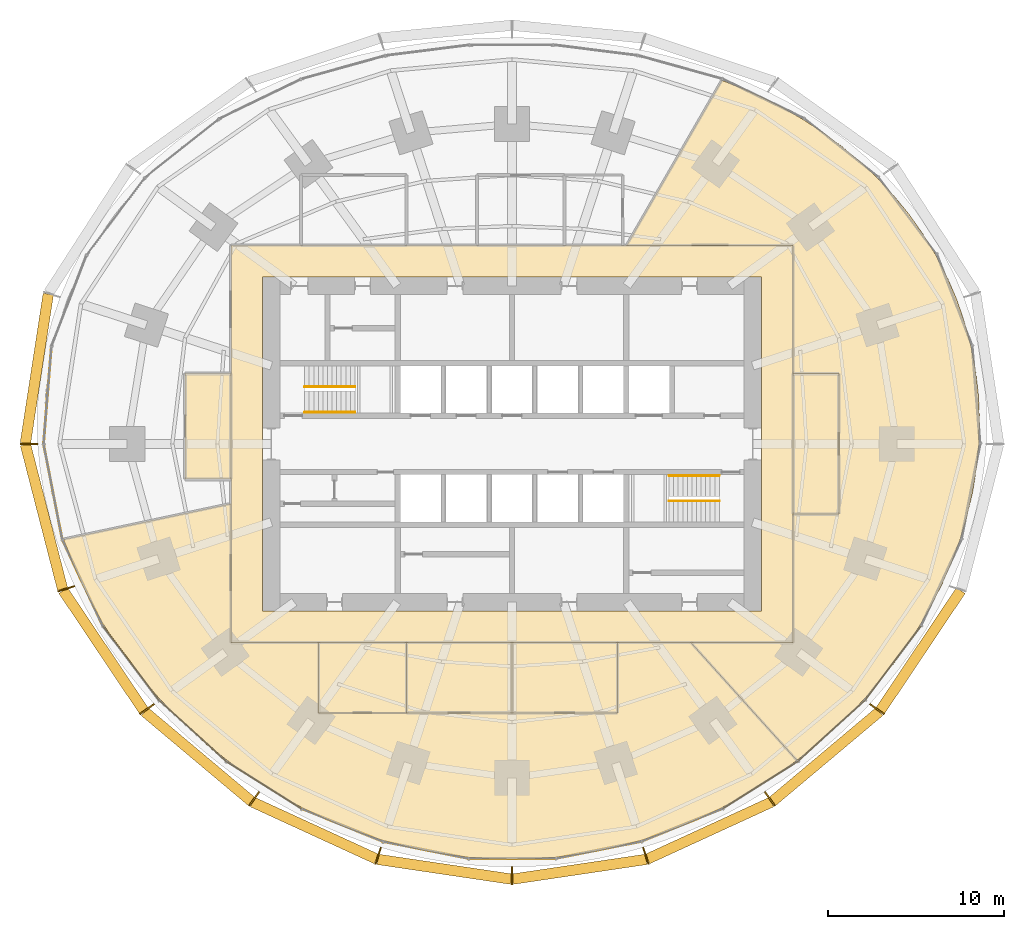
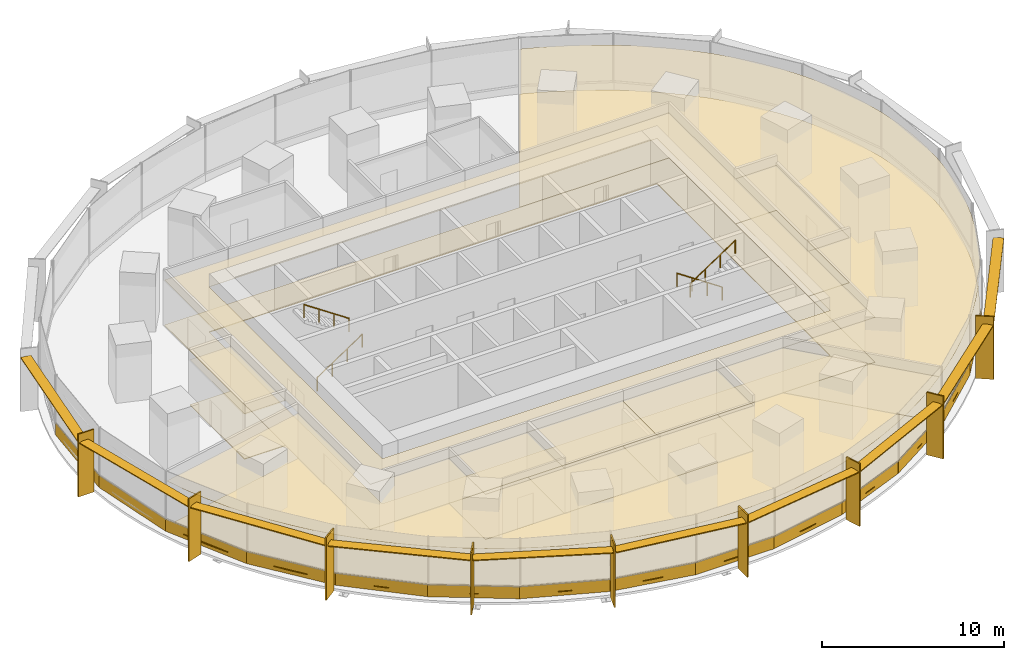
# One storey, part 14 of 15: 30 coverings, 19 shading devices, 4 railings.
"""IFC4 building model written with IfcOpenShell, lengths in metres."""

from ifc_helpers import new_model, si_unit, direction, frame, origin, origin_2d, place, context, subcontext, project, spatial, polyline, rectangle, circle, outline, extrude, material, layer, layer_set, type_object, element, save


model = new_model("IFC4")

# Units and contexts
model_context = context("Model", 3, precision=1e-05, world=origin(), true_north=direction((0.0, 1.0)))
body_context = subcontext(model_context, "Body", "Model", "MODEL_VIEW")
ifc_project = project(units=[si_unit("LENGTHUNIT", "METRE"), si_unit("AREAUNIT", "SQUARE_METRE"), si_unit("VOLUMEUNIT", "CUBIC_METRE"), si_unit("PLANEANGLEUNIT", "RADIAN"), si_unit("MASSUNIT", "GRAM", prefix="KILO")], contexts=[model_context])

# Site, building, storey
site_placement = place(None, origin())
site = spatial("IfcSite", under=ifc_project, at=site_placement, CompositionType="ELEMENT")
building_placement = place(site_placement, origin())
building = spatial("IfcBuilding", under=site, at=building_placement, Name="Marramba Exchange Tower", CompositionType="ELEMENT")
storey_placement = place(building_placement, frame((0.0, 0.0, 53.199951171875)))
storey = spatial("IfcBuildingStorey", under=building, at=storey_placement, Name="L12", CompositionType="ELEMENT", Elevation=53.199951171875)

# Shading devices
ifc_material_1 = material(Name="Aluminium blade, timber-look bronze finish", Category="wood")
ifc_layer_1 = layer(ifc_material_1, 0.080078125)
ifc_layer_set_1 = layer_set([ifc_layer_1], Name="Floor-edge blade 1000x80")
shading_device_type_1 = type_object("IfcShadingDeviceType", Name="Floor-edge blade 1000x80", PredefinedType="USERDEFINED", material=ifc_layer_set_1)
for number, where, z_axis, x_axis, name in (
    (1, (-27.5, 0.0, -0.16015625), (0.0, 0.0, 1.0), (-1.0, 0.0, 0.0), "Floor-edge blade FB1 L12 TC11"),
    (2, (-25.3740234375, -8.24462890625, -0.16015625), (0.0, 0.0, 1.0), (-0.951056516295, -0.309016994375, 0.0), "Floor-edge blade FB1 L12 TC12"),
    (3, (-20.773193359375, -15.092529296875, -0.16015625), (0.0, 0.0, 1.0), (-0.809016994375, -0.587785252292, 0.0), "Floor-edge blade FB1 L12 TC13"),
    (4, (-14.6787109375, -20.20361328125, -0.16015625), (0.0, 0.0, 1.0), (-0.587785252292, -0.809016994375, 0.0), "Floor-edge blade FB1 L12 TC14"),
    (5, (-7.61767578125, -23.444580078125, -0.16015625), (0.0, 0.0, 1.0), (-0.309016994375, -0.951056516295, 0.0), "Floor-edge blade FB1 L12 TC15"),
    (6, (0.0, -24.572021484375, -0.16015625), (0.0, 0.0, 1.0), (0.0, -1.0, 0.0), "Floor-edge blade FB1 L12 TC16"),
    (7, (7.61767578125, -23.444580078125, -0.16015625), (0.0, 0.0, 1.0), (0.309016994375, -0.951056516295, 0.0), "Floor-edge blade FB1 L12 TC17"),
    (8, (14.6787109375, -20.20361328125, -0.16015625), (0.0, 0.0, 1.0), (0.587785252292, -0.809016994375, 0.0), "Floor-edge blade FB1 L12 TC18"),
    (9, (20.773193359375, -15.092529296875, -0.16015625), (0.0, 0.0, 1.0), (0.809016994375, -0.587785252292, 0.0), "Floor-edge blade FB1 L12 TC19"),
):
    element("IfcShadingDevice", number, at=place(storey_placement, frame(where, z_axis=z_axis, x_axis=x_axis)), inside=storey, type_object=shading_device_type_1, Name=name, ObjectType="FIN", PredefinedType="USERDEFINED", context=body_context, shape_type="SweptSolid", body=[
        extrude(rectangle(XDim=1.0, YDim=0.080078125, at=origin_2d()), origin(), (0.0, 0.0, 1.0), 4.199951171875),
    ])

# Coverings
ifc_material_2 = material(Name="Steel raised access floor panels", Category="steel")
ifc_layer_2 = layer(ifc_material_2, 0.050048828125)
ifc_layer_set_2 = layer_set([ifc_layer_2], Name="Raised access floor 300")
covering_type_1 = type_object("IfcCoveringType", Name="Raised access floor 300", PredefinedType="FLOORING", material=ifc_layer_set_2)
covering_1_placement = place(storey_placement, frame((0.0, 0.0, 0.25)))
element("IfcCovering", 10, at=covering_1_placement, inside=storey, type_object=covering_type_1, Name="Raised access floor RAF1 L12 Trading Floor 1", PredefinedType="FLOORING", context=body_context, shape_type="SweptSolid", body=[
    extrude(outline(polyline([(16.0, -4.0), (18.60009765625, -4.0), (18.60009765625, 4.0), (16.0, 4.0), (16.0, 11.300048828125), (6.524169921875, 11.300048828125), (11.94921875, 20.69677734375), (13.135986328125, 20.2275390625), (14.31103515625, 19.697509765625), (15.4697265625, 19.103759765625), (16.60693359375, 18.44384765625), (17.71630859375, 17.71630859375), (18.791259765625, 16.919677734375), (19.8251953125, 16.05419921875), (20.810791015625, 15.119873046875), (21.740478515625, 14.118408203125), (22.607177734375, 13.05224609375), (23.40380859375, 11.9248046875), (24.12353515625, 10.740478515625), (24.76025390625, 9.50439453125), (25.30859375, 8.22314453125), (25.763916015625, 6.9033203125), (26.123291015625, 5.552734375), (26.3837890625, 4.1787109375), (26.544921875, 2.7900390625), (26.6064453125, 1.394287109375), (26.570068359375, 0.0), (26.43798828125, -1.385498046875), (26.213623046875, -2.755126953125), (25.9013671875, -4.102294921875), (25.50634765625, -5.421630859375), (25.033935546875, -6.707763671875), (24.489501953125, -7.95703125), (23.879150390625, -9.166259765625), (23.208251953125, -10.3330078125), (22.482177734375, -11.455322265625), (21.7060546875, -12.531982421875), (20.88427734375, -13.5625), (20.020751953125, -14.5458984375), (19.119384765625, -15.482421875), (18.1826171875, -16.371826171875), (17.213623046875, -17.213623046875), (16.21435546875, -18.0078125), (10.174560546875, -11.300048828125), (16.0, -11.300048828125), (16.0, -4.0)])), origin(), (0.0, 0.0, 1.0), 0.050048828125),
])
covering_2_placement = place(storey_placement, frame((0.0, 0.0, 0.25)))
element("IfcCovering", 11, at=covering_2_placement, inside=storey, type_object=covering_type_1, Name="Raised access floor RAF1 L12 Trading Floor 3", PredefinedType="FLOORING", context=body_context, shape_type="SweptSolid", body=[
    extrude(outline(polyline([(-11.0, -11.300048828125), (-11.0, -15.300048828125), (-6.0, -15.300048828125), (0.0, -15.300048828125), (6.0, -15.300048828125), (6.0, -11.300048828125), (10.174560546875, -11.300048828125), (16.21435546875, -18.0078125), (15.1865234375, -18.75390625), (14.132080078125, -19.451171875), (13.052490234375, -20.09912109375), (11.94921875, -20.69677734375), (10.82373046875, -21.242919921875), (9.677734375, -21.736328125), (8.512451171875, -22.17578125), (7.330078125, -22.56005859375), (6.1328125, -22.8876953125), (4.92236328125, -23.15771484375), (3.701416015625, -23.368896484375), (2.47216796875, -23.5205078125), (1.2373046875, -23.611572265625), (0.0, -23.64208984375), (-1.2373046875, -23.611572265625), (-2.47216796875, -23.5205078125), (-3.701416015625, -23.368896484375), (-4.92236328125, -23.15771484375), (-6.1328125, -22.8876953125), (-7.330078125, -22.56005859375), (-8.512451171875, -22.17578125), (-9.677734375, -21.736328125), (-10.82373046875, -21.242919921875), (-11.94921875, -20.69677734375), (-13.052490234375, -20.09912109375), (-14.132080078125, -19.451171875), (-15.1865234375, -18.75390625), (-16.21435546875, -18.0078125), (-17.213623046875, -17.213623046875), (-18.1826171875, -16.371826171875), (-19.119384765625, -15.482421875), (-20.020751953125, -14.5458984375), (-20.88427734375, -13.5625), (-21.7060546875, -12.531982421875), (-22.482177734375, -11.455322265625), (-23.208251953125, -10.3330078125), (-23.879150390625, -9.166259765625), (-24.489501953125, -7.95703125), (-25.033935546875, -6.707763671875), (-25.50634765625, -5.421630859375), (-16.906494140625, -3.593505859375), (-16.0, -3.40087890625), (-16.0, -11.300048828125), (-11.0, -11.300048828125)])), origin(), (0.0, 0.0, 1.0), 0.050048828125),
])
covering_3_placement = place(storey_placement, frame((0.0, 0.0, 0.25)))
element("IfcCovering", 12, at=covering_3_placement, inside=storey, type_object=covering_type_1, Name="Raised access floor RAF1 L12 Corridor", PredefinedType="FLOORING", context=body_context, shape_type="SweptSolid", body=[
    extrude(outline(polyline([(-16.0, 11.300048828125), (16.0, 11.300048828125), (16.0, -11.300048828125), (-16.0, -11.300048828125), (-16.0, 11.300048828125)]), holes=[polyline([(-14.199951171875, 9.5), (-14.199951171875, -9.5), (14.199951171875, -9.5), (14.199951171875, 9.5), (-14.199951171875, 9.5)])]), origin(), (0.0, 0.0, 1.0), 0.050048828125),
])
covering_4_placement = place(storey_placement, frame((0.0, 0.0, 0.25)))
element("IfcCovering", 13, at=covering_4_placement, inside=storey, type_object=covering_type_1, Name="Raised access floor RAF1 L12 Data Room 1", PredefinedType="FLOORING", context=body_context, shape_type="SweptSolid", body=[
    extrude(outline(polyline([(18.60009765625, -4.0), (16.0, -4.0), (16.0, 4.0), (18.60009765625, 4.0), (18.60009765625, -4.0)])), origin(), (0.0, 0.0, 1.0), 0.050048828125),
])
covering_5_placement = place(storey_placement, frame((0.0, 0.0, 0.25)))
element("IfcCovering", 14, at=covering_5_placement, inside=storey, type_object=covering_type_1, Name="Raised access floor RAF1 L12 Data Room 2", PredefinedType="FLOORING", context=body_context, shape_type="SweptSolid", body=[
    extrude(outline(polyline([(-16.0, -2.0), (-18.60009765625, -2.0), (-18.60009765625, 4.0), (-16.0, 4.0), (-16.0, -2.0)])), origin(), (0.0, 0.0, 1.0), 0.050048828125),
])
covering_6_placement = place(storey_placement, frame((0.0, 0.0, 0.25)))
element("IfcCovering", 15, at=covering_6_placement, inside=storey, type_object=covering_type_1, Name="Raised access floor RAF1 L12 Data Room 3", PredefinedType="FLOORING", context=body_context, shape_type="SweptSolid", body=[
    extrude(outline(polyline([(0.0, -15.300048828125), (-6.0, -15.300048828125), (-6.0, -11.300048828125), (0.0, -11.300048828125), (0.0, -15.300048828125)])), origin(), (0.0, 0.0, 1.0), 0.050048828125),
])
covering_7_placement = place(storey_placement, frame((0.0, 0.0, 0.25)))
element("IfcCovering", 16, at=covering_7_placement, inside=storey, type_object=covering_type_1, Name="Raised access floor RAF1 L12 Meeting Room 3", PredefinedType="FLOORING", context=body_context, shape_type="SweptSolid", body=[
    extrude(outline(polyline([(6.0, -15.300048828125), (0.0, -15.300048828125), (0.0, -11.300048828125), (6.0, -11.300048828125), (6.0, -15.300048828125)])), origin(), (0.0, 0.0, 1.0), 0.050048828125),
])
covering_8_placement = place(storey_placement, frame((0.0, 0.0, 0.25)))
element("IfcCovering", 17, at=covering_8_placement, inside=storey, type_object=covering_type_1, Name="Raised access floor RAF1 L12 Pantry 2", PredefinedType="FLOORING", context=body_context, shape_type="SweptSolid", body=[
    extrude(outline(polyline([(-6.0, -15.300048828125), (-11.0, -15.300048828125), (-11.0, -11.300048828125), (-6.0, -11.300048828125), (-6.0, -15.300048828125)])), origin(), (0.0, 0.0, 1.0), 0.050048828125),
])

# Shading devices
ifc_material_3 = material(Name="Aluminium sunshade, bronze anodised", Category="aluminium")
ifc_layer_3 = layer(ifc_material_3, 0.06005859375)
ifc_layer_set_3 = layer_set([ifc_layer_3], Name="SUNSHADE blade 600x60")
shading_device_type_2 = type_object("IfcShadingDeviceType", Name="SUNSHADE blade 600x60", PredefinedType="USERDEFINED", material=ifc_layer_set_3)
shading_device_1_placement = place(storey_placement, frame((-27.04150390625, 4.2861328125, 3.4599609375), z_axis=(0.0, 0.0, 1.0), x_axis=(-0.151825486228, -0.988407315701, 0.0)))
element("IfcShadingDevice", 18, at=shading_device_1_placement, inside=storey, type_object=shading_device_type_2, Name="Sunshade SS1 L12 bay 10", ObjectType="SUNSHADE", PredefinedType="USERDEFINED", context=body_context, shape_type="SweptSolid", body=[
    extrude(rectangle(XDim=8.593017578125, YDim=0.60009765625, at=origin_2d()), origin(), (0.0, 0.0, 1.0), 0.06005859375),
])
shading_device_2_placement = place(storey_placement, frame((-26.632080078125, -4.153076171875, 3.4599609375), z_axis=(0.0, 0.0, 1.0), x_axis=(0.249024641331, -0.968497149201, 0.0)))
element("IfcShadingDevice", 19, at=shading_device_2_placement, inside=storey, type_object=shading_device_type_2, Name="Sunshade SS1 L12 bay 11", ObjectType="SUNSHADE", PredefinedType="USERDEFINED", context=body_context, shape_type="SweptSolid", body=[
    extrude(rectangle(XDim=8.49658203125, YDim=0.60009765625, at=origin_2d()), origin(), (0.0, 0.0, 1.0), 0.06005859375),
])
shading_device_3_placement = place(storey_placement, frame((-23.24951171875, -11.75830078125, 3.4599609375), z_axis=(0.0, 0.0, 1.0), x_axis=(0.556924164761, -0.830563347798, 0.0)))
element("IfcShadingDevice", 20, at=shading_device_3_placement, inside=storey, type_object=shading_device_type_2, Name="Sunshade SS1 L12 bay 12", ObjectType="SUNSHADE", PredefinedType="USERDEFINED", context=body_context, shape_type="SweptSolid", body=[
    extrude(rectangle(XDim=8.232177734375, YDim=0.60009765625, at=origin_2d()), origin(), (0.0, 0.0, 1.0), 0.06005859375),
])
shading_device_4_placement = place(storey_placement, frame((-17.86572265625, -17.787841796875, 3.4599609375), z_axis=(0.0, 0.0, 1.0), x_axis=(0.765776068523, -0.643107310546, 0.0)))
element("IfcShadingDevice", 21, at=shading_device_4_placement, inside=storey, type_object=shading_device_type_2, Name="Sunshade SS1 L12 bay 13", ObjectType="SUNSHADE", PredefinedType="USERDEFINED", context=body_context, shape_type="SweptSolid", body=[
    extrude(rectangle(XDim=7.936279296875, YDim=0.60009765625, at=origin_2d()), origin(), (0.0, 0.0, 1.0), 0.06005859375),
])
shading_device_5_placement = place(storey_placement, frame((-11.23779296875, -22.0, 3.4599609375), z_axis=(0.0, 0.0, 1.0), x_axis=(0.908703542008, -0.417442059144, 0.0)))
element("IfcShadingDevice", 22, at=shading_device_5_placement, inside=storey, type_object=shading_device_type_2, Name="Sunshade SS1 L12 bay 14", ObjectType="SUNSHADE", PredefinedType="USERDEFINED", context=body_context, shape_type="SweptSolid", body=[
    extrude(rectangle(XDim=7.751953125, YDim=0.60009765625, at=origin_2d()), origin(), (0.0, 0.0, 1.0), 0.06005859375),
])
for number, where, z_axis, x_axis, name in (
    (23, (-3.839599609375, -24.203369140625, 3.4599609375), (0.0, 0.0, 1.0), (0.989212895923, -0.146484970356, 0.0), "Sunshade SS1 L12 bay 15"),
    (24, (3.839599609375, -24.203369140625, 3.4599609375), (0.0, 0.0, 1.0), (0.989212895923, 0.146484970356, 0.0), "Sunshade SS1 L12 bay 16"),
):
    element("IfcShadingDevice", number, at=place(storey_placement, frame(where, z_axis=z_axis, x_axis=x_axis)), inside=storey, type_object=shading_device_type_2, Name=name, ObjectType="SUNSHADE", PredefinedType="USERDEFINED", context=body_context, shape_type="SweptSolid", body=[
        extrude(rectangle(XDim=7.68310546875, YDim=0.60009765625, at=origin_2d()), origin(), (0.0, 0.0, 1.0), 0.06005859375),
    ])
shading_device_6_placement = place(storey_placement, frame((11.23779296875, -22.0, 3.4599609375), z_axis=(0.0, 0.0, 1.0), x_axis=(0.908703542008, 0.417442059144, 0.0)))
element("IfcShadingDevice", 25, at=shading_device_6_placement, inside=storey, type_object=shading_device_type_2, Name="Sunshade SS1 L12 bay 17", ObjectType="SUNSHADE", PredefinedType="USERDEFINED", context=body_context, shape_type="SweptSolid", body=[
    extrude(rectangle(XDim=7.751953125, YDim=0.60009765625, at=origin_2d()), origin(), (0.0, 0.0, 1.0), 0.06005859375),
])
shading_device_7_placement = place(storey_placement, frame((17.86572265625, -17.787841796875, 3.4599609375), z_axis=(0.0, 0.0, 1.0), x_axis=(0.765776068523, 0.643107310546, 0.0)))
element("IfcShadingDevice", 26, at=shading_device_7_placement, inside=storey, type_object=shading_device_type_2, Name="Sunshade SS1 L12 bay 18", ObjectType="SUNSHADE", PredefinedType="USERDEFINED", context=body_context, shape_type="SweptSolid", body=[
    extrude(rectangle(XDim=7.936279296875, YDim=0.60009765625, at=origin_2d()), origin(), (0.0, 0.0, 1.0), 0.06005859375),
])
shading_device_8_placement = place(storey_placement, frame((23.24951171875, -11.75830078125, 3.4599609375), z_axis=(0.0, 0.0, 1.0), x_axis=(0.556924164761, 0.830563347798, 0.0)))
element("IfcShadingDevice", 27, at=shading_device_8_placement, inside=storey, type_object=shading_device_type_2, Name="Sunshade SS1 L12 bay 19", ObjectType="SUNSHADE", PredefinedType="USERDEFINED", context=body_context, shape_type="SweptSolid", body=[
    extrude(rectangle(XDim=8.232177734375, YDim=0.60009765625, at=origin_2d()), origin(), (0.0, 0.0, 1.0), 0.06005859375),
])

# Coverings
ifc_material_4 = material(Name="Aluminium spandrel panel, bronze anodised, insulated", Category="aluminium")
ifc_layer_4 = layer(ifc_material_4, 0.050048828125)
ifc_layer_set_4 = layer_set([ifc_layer_4], Name="Spandrel panel 800")
covering_type_2 = type_object("IfcCoveringType", Name="Spandrel panel 800", PredefinedType="CLADDING", material=ifc_layer_set_4)
covering_9_placement = place(storey_placement, frame((-26.42578125, 2.78466796875, 0.0), z_axis=(0.0, 0.0, 1.0), x_axis=(-0.080275227657, -0.996772736297, 0.0)))
element("IfcCovering", 28, at=covering_9_placement, inside=storey, type_object=covering_type_2, Name="Spandrel panel SP1 L12 F15", PredefinedType="CLADDING", context=body_context, shape_type="SweptSolid", body=[
    extrude(rectangle(XDim=5.58740234375, YDim=0.050048828125, at=origin_2d()), origin(), (0.0, 0.0, 1.0), 0.800048828125),
])
covering_10_placement = place(storey_placement, frame((-26.117431640625, -2.718994140625, 0.0), z_axis=(0.0, 0.0, 1.0), x_axis=(0.19224858127, -0.981346260501, 0.0)))
element("IfcCovering", 29, at=covering_10_placement, inside=storey, type_object=covering_type_2, Name="Spandrel panel SP1 L12 F16", PredefinedType="CLADDING", context=body_context, shape_type="SweptSolid", body=[
    extrude(rectangle(XDim=5.54150390625, YDim=0.050048828125, at=origin_2d()), origin(), (0.0, 0.0, 1.0), 0.800048828125),
])
covering_11_placement = place(storey_placement, frame((-24.432861328125, -7.90185546875, 0.0), z_axis=(0.0, 0.0, 1.0), x_axis=(0.423477213559, -0.905906755464, 0.0)))
element("IfcCovering", 30, at=covering_11_placement, inside=storey, type_object=covering_type_2, Name="Spandrel panel SP1 L12 F17", PredefinedType="CLADDING", context=body_context, shape_type="SweptSolid", body=[
    extrude(rectangle(XDim=5.439208984375, YDim=0.050048828125, at=origin_2d()), origin(), (0.0, 0.0, 1.0), 0.800048828125),
])
covering_12_placement = place(storey_placement, frame((-21.683349609375, -12.479248046875, 0.0), z_axis=(0.0, 0.0, 1.0), x_axis=(0.603040469481, -0.797710594243, 0.0)))
element("IfcCovering", 31, at=covering_12_placement, inside=storey, type_object=covering_type_2, Name="Spandrel panel SP1 L12 F18", PredefinedType="CLADDING", context=body_context, shape_type="SweptSolid", body=[
    extrude(rectangle(XDim=5.299560546875, YDim=0.050048828125, at=origin_2d()), origin(), (0.0, 0.0, 1.0), 0.800048828125),
])
covering_13_placement = place(storey_placement, frame((-18.1767578125, -16.330078125, 0.0), z_axis=(0.0, 0.0, 1.0), x_axis=(0.739589582203, -0.673058132628, 0.0)))
element("IfcCovering", 32, at=covering_13_placement, inside=storey, type_object=covering_type_2, Name="Spandrel panel SP1 L12 F19", PredefinedType="CLADDING", context=body_context, shape_type="SweptSolid", body=[
    extrude(rectangle(XDim=5.161865234375, YDim=0.050048828125, at=origin_2d()), origin(), (0.0, 0.0, 1.0), 0.800048828125),
])
covering_14_placement = place(storey_placement, frame((-14.128662109375, -19.416748046875, 0.0), z_axis=(0.0, 0.0, 1.0), x_axis=(0.845790829799, -0.533514641062, 0.0)))
element("IfcCovering", 33, at=covering_14_placement, inside=storey, type_object=covering_type_2, Name="Spandrel panel SP1 L12 F20", PredefinedType="CLADDING", context=body_context, shape_type="SweptSolid", body=[
    extrude(rectangle(XDim=5.05859375, YDim=0.050048828125, at=origin_2d()), origin(), (0.0, 0.0, 1.0), 0.800048828125),
])
covering_15_placement = place(storey_placement, frame((-9.672119140625, -21.701171875, 0.0), z_axis=(0.0, 0.0, 1.0), x_axis=(0.927340675001, -0.374218215069, 0.0)))
element("IfcCovering", 34, at=covering_15_placement, inside=storey, type_object=covering_type_2, Name="Spandrel panel SP1 L12 F21", PredefinedType="CLADDING", context=body_context, shape_type="SweptSolid", body=[
    extrude(rectangle(XDim=4.99755859375, YDim=0.050048828125, at=origin_2d()), origin(), (0.0, 0.0, 1.0), 0.800048828125),
])
covering_16_placement = place(storey_placement, frame((-4.917724609375, -23.1181640625, 0.0), z_axis=(0.0, 0.0, 1.0), x_axis=(0.981009201842, -0.193961196898, 0.0)))
element("IfcCovering", 35, at=covering_16_placement, inside=storey, type_object=covering_type_2, Name="Spandrel panel SP1 L12 F22", PredefinedType="CLADDING", context=body_context, shape_type="SweptSolid", body=[
    extrude(rectangle(XDim=4.96875, YDim=0.050048828125, at=origin_2d()), origin(), (0.0, 0.0, 1.0), 0.800048828125),
])
covering_17_placement = place(storey_placement, frame((0.0, -23.599853515625, 0.0), z_axis=(0.0, 0.0, 1.0), x_axis=(1.0, 0.0, 0.0)))
element("IfcCovering", 36, at=covering_17_placement, inside=storey, type_object=covering_type_2, Name="Spandrel panel SP1 L12 F23", PredefinedType="CLADDING", context=body_context, shape_type="SweptSolid", body=[
    extrude(rectangle(XDim=4.9609375, YDim=0.050048828125, at=origin_2d()), origin(), (0.0, 0.0, 1.0), 0.800048828125),
])
covering_18_placement = place(storey_placement, frame((4.917724609375, -23.1181640625, 0.0), z_axis=(0.0, 0.0, 1.0), x_axis=(0.981009201842, 0.193961196898, 0.0)))
element("IfcCovering", 37, at=covering_18_placement, inside=storey, type_object=covering_type_2, Name="Spandrel panel SP1 L12 F24", PredefinedType="CLADDING", context=body_context, shape_type="SweptSolid", body=[
    extrude(rectangle(XDim=4.96875, YDim=0.050048828125, at=origin_2d()), origin(), (0.0, 0.0, 1.0), 0.800048828125),
])
covering_19_placement = place(storey_placement, frame((9.672119140625, -21.701171875, 0.0), z_axis=(0.0, 0.0, 1.0), x_axis=(0.927340675001, 0.374218215069, 0.0)))
element("IfcCovering", 38, at=covering_19_placement, inside=storey, type_object=covering_type_2, Name="Spandrel panel SP1 L12 F25", PredefinedType="CLADDING", context=body_context, shape_type="SweptSolid", body=[
    extrude(rectangle(XDim=4.99755859375, YDim=0.050048828125, at=origin_2d()), origin(), (0.0, 0.0, 1.0), 0.800048828125),
])
covering_20_placement = place(storey_placement, frame((14.128662109375, -19.416748046875, 0.0), z_axis=(0.0, 0.0, 1.0), x_axis=(0.845790829799, 0.533514641062, 0.0)))
element("IfcCovering", 39, at=covering_20_placement, inside=storey, type_object=covering_type_2, Name="Spandrel panel SP1 L12 F26", PredefinedType="CLADDING", context=body_context, shape_type="SweptSolid", body=[
    extrude(rectangle(XDim=5.05859375, YDim=0.050048828125, at=origin_2d()), origin(), (0.0, 0.0, 1.0), 0.800048828125),
])
covering_21_placement = place(storey_placement, frame((18.1767578125, -16.330078125, 0.0), z_axis=(0.0, 0.0, 1.0), x_axis=(0.739589582203, 0.673058132628, 0.0)))
element("IfcCovering", 40, at=covering_21_placement, inside=storey, type_object=covering_type_2, Name="Spandrel panel SP1 L12 F27", PredefinedType="CLADDING", context=body_context, shape_type="SweptSolid", body=[
    extrude(rectangle(XDim=5.161865234375, YDim=0.050048828125, at=origin_2d()), origin(), (0.0, 0.0, 1.0), 0.800048828125),
])
covering_22_placement = place(storey_placement, frame((21.683349609375, -12.479248046875, 0.0), z_axis=(0.0, 0.0, 1.0), x_axis=(0.603040469481, 0.797710594243, 0.0)))
element("IfcCovering", 41, at=covering_22_placement, inside=storey, type_object=covering_type_2, Name="Spandrel panel SP1 L12 F28", PredefinedType="CLADDING", context=body_context, shape_type="SweptSolid", body=[
    extrude(rectangle(XDim=5.299560546875, YDim=0.050048828125, at=origin_2d()), origin(), (0.0, 0.0, 1.0), 0.800048828125),
])

# Railings
ifc_material_5 = material(Name="Stainless steel handrail", Category="steel")
railing_type = type_object("IfcRailingType", Name="Stair handrail 900", PredefinedType="HANDRAIL", material=ifc_material_5)
railing_1_placement = place(storey_placement, frame((-11.800048828125, 1.800048828125, 0.175048828125)))
element("IfcRailing", 42, at=railing_1_placement, inside=storey, type_object=railing_type, Name="Handrail HR1 ST1 L12 flight 1", PredefinedType="HANDRAIL", context=body_context, shape_type="SweptSolid", body=[
    extrude(circle(Radius=0.02392578125, at=origin_2d()), frame((0.0, 0.0, 0.8759765625), z_axis=(0.829590901723, 0.0, 0.558371682465), x_axis=(0.0, 1.0, 0.0)), (0.0, 0.0, 1.0), 3.447509765625),
    extrude(circle(Radius=0.02099609375, at=origin_2d()), origin(), (0.0, 0.0, 1.0), 0.851806640625),
    extrude(circle(Radius=0.02099609375, at=origin_2d()), frame((0.953369140625, 0.0, 0.6416015625)), (0.0, 0.0, 1.0), 0.851806640625),
    extrude(circle(Radius=0.02099609375, at=origin_2d()), frame((1.90673828125, 0.0, 1.283447265625)), (0.0, 0.0, 1.0), 0.851806640625),
    extrude(circle(Radius=0.02099609375, at=origin_2d()), frame((2.860107421875, 0.0, 1.925048828125)), (0.0, 0.0, 1.0), 0.851806640625),
])
railing_2_placement = place(storey_placement, frame((-8.93994140625, 3.25, 2.275146484375)))
element("IfcRailing", 43, at=railing_2_placement, inside=storey, type_object=railing_type, Name="Handrail HR1 ST1 L12 flight 2", PredefinedType="HANDRAIL", context=body_context, shape_type="SweptSolid", body=[
    extrude(circle(Radius=0.02392578125, at=origin_2d()), frame((0.0, 0.0, 0.8759765625), z_axis=(-0.829623704247, 0.0, 0.558322943601), x_axis=(0.0, -1.0, 0.0)), (0.0, 0.0, 1.0), 3.447509765625),
    extrude(circle(Radius=0.02099609375, at=origin_2d()), origin(), (0.0, 0.0, 1.0), 0.851806640625),
    extrude(circle(Radius=0.02099609375, at=origin_2d()), frame((-0.953369140625, 0.0, 0.6416015625)), (0.0, 0.0, 1.0), 0.851806640625),
    extrude(circle(Radius=0.02099609375, at=origin_2d()), frame((-1.90673828125, 0.0, 1.283203125)), (0.0, 0.0, 1.0), 0.851806640625),
    extrude(circle(Radius=0.02099609375, at=origin_2d()), frame((-2.860107421875, 0.0, 1.9248046875)), (0.0, 0.0, 1.0), 0.851806640625),
])
railing_3_placement = place(storey_placement, frame((11.800048828125, -1.800048828125, 0.175048828125)))
element("IfcRailing", 44, at=railing_3_placement, inside=storey, type_object=railing_type, Name="Handrail HR1 ST2 L12 flight 1", PredefinedType="HANDRAIL", context=body_context, shape_type="SweptSolid", body=[
    extrude(circle(Radius=0.02392578125, at=origin_2d()), frame((0.0, 0.0, 0.8759765625), z_axis=(-0.829590901723, 0.0, 0.558371682465), x_axis=(0.0, -1.0, 0.0)), (0.0, 0.0, 1.0), 3.447509765625),
    extrude(circle(Radius=0.02099609375, at=origin_2d()), origin(), (0.0, 0.0, 1.0), 0.851806640625),
    extrude(circle(Radius=0.02099609375, at=origin_2d()), frame((-0.953369140625, 0.0, 0.6416015625)), (0.0, 0.0, 1.0), 0.851806640625),
    extrude(circle(Radius=0.02099609375, at=origin_2d()), frame((-1.90673828125, 0.0, 1.283447265625)), (0.0, 0.0, 1.0), 0.851806640625),
    extrude(circle(Radius=0.02099609375, at=origin_2d()), frame((-2.860107421875, 0.0, 1.925048828125)), (0.0, 0.0, 1.0), 0.851806640625),
])
railing_4_placement = place(storey_placement, frame((8.93994140625, -3.25, 2.275146484375)))
element("IfcRailing", 45, at=railing_4_placement, inside=storey, type_object=railing_type, Name="Handrail HR1 ST2 L12 flight 2", PredefinedType="HANDRAIL", context=body_context, shape_type="SweptSolid", body=[
    extrude(circle(Radius=0.02392578125, at=origin_2d()), frame((0.0, 0.0, 0.8759765625), z_axis=(0.829623704247, 0.0, 0.558322943601), x_axis=(0.0, 1.0, 0.0)), (0.0, 0.0, 1.0), 3.447509765625),
    extrude(circle(Radius=0.02099609375, at=origin_2d()), origin(), (0.0, 0.0, 1.0), 0.851806640625),
    extrude(circle(Radius=0.02099609375, at=origin_2d()), frame((0.953369140625, 0.0, 0.6416015625)), (0.0, 0.0, 1.0), 0.851806640625),
    extrude(circle(Radius=0.02099609375, at=origin_2d()), frame((1.90673828125, 0.0, 1.283203125)), (0.0, 0.0, 1.0), 0.851806640625),
    extrude(circle(Radius=0.02099609375, at=origin_2d()), frame((2.860107421875, 0.0, 1.9248046875)), (0.0, 0.0, 1.0), 0.851806640625),
])

# Coverings
ifc_material_6 = material(Name="Mineral fibre ceiling tiles", Category="gypsum")
ifc_layer_5 = layer(ifc_material_6, 0.02001953125)
ifc_layer_set_5 = layer_set([ifc_layer_5], Name="Suspended ceiling 20")
covering_type_3 = type_object("IfcCoveringType", Name="Suspended ceiling 20", PredefinedType="CEILING", material=ifc_layer_set_5)
covering_23_placement = place(storey_placement, frame((0.0, 0.0, 3.300048828125)))
element("IfcCovering", 46, at=covering_23_placement, inside=storey, type_object=covering_type_3, Name="Ceiling CL1 L12 Trading Floor 1", PredefinedType="CEILING", context=body_context, shape_type="SweptSolid", body=[
    extrude(outline(polyline([(16.0, -4.0), (18.60009765625, -4.0), (18.60009765625, 4.0), (16.0, 4.0), (16.0, 11.300048828125), (6.524169921875, 11.300048828125), (11.94921875, 20.69677734375), (13.135986328125, 20.2275390625), (14.31103515625, 19.697509765625), (15.4697265625, 19.103759765625), (16.60693359375, 18.44384765625), (17.71630859375, 17.71630859375), (18.791259765625, 16.919677734375), (19.8251953125, 16.05419921875), (20.810791015625, 15.119873046875), (21.740478515625, 14.118408203125), (22.607177734375, 13.05224609375), (23.40380859375, 11.9248046875), (24.12353515625, 10.740478515625), (24.76025390625, 9.50439453125), (25.30859375, 8.22314453125), (25.763916015625, 6.9033203125), (26.123291015625, 5.552734375), (26.3837890625, 4.1787109375), (26.544921875, 2.7900390625), (26.6064453125, 1.394287109375), (26.570068359375, 0.0), (26.43798828125, -1.385498046875), (26.213623046875, -2.755126953125), (25.9013671875, -4.102294921875), (25.50634765625, -5.421630859375), (25.033935546875, -6.707763671875), (24.489501953125, -7.95703125), (23.879150390625, -9.166259765625), (23.208251953125, -10.3330078125), (22.482177734375, -11.455322265625), (21.7060546875, -12.531982421875), (20.88427734375, -13.5625), (20.020751953125, -14.5458984375), (19.119384765625, -15.482421875), (18.1826171875, -16.371826171875), (17.213623046875, -17.213623046875), (16.21435546875, -18.0078125), (10.174560546875, -11.300048828125), (16.0, -11.300048828125), (16.0, -4.0)])), origin(), (0.0, 0.0, 1.0), 0.02001953125),
])
covering_24_placement = place(storey_placement, frame((0.0, 0.0, 3.300048828125)))
element("IfcCovering", 47, at=covering_24_placement, inside=storey, type_object=covering_type_3, Name="Ceiling CL1 L12 Trading Floor 3", PredefinedType="CEILING", context=body_context, shape_type="SweptSolid", body=[
    extrude(outline(polyline([(-11.0, -11.300048828125), (-11.0, -15.300048828125), (-6.0, -15.300048828125), (0.0, -15.300048828125), (6.0, -15.300048828125), (6.0, -11.300048828125), (10.174560546875, -11.300048828125), (16.21435546875, -18.0078125), (15.1865234375, -18.75390625), (14.132080078125, -19.451171875), (13.052490234375, -20.09912109375), (11.94921875, -20.69677734375), (10.82373046875, -21.242919921875), (9.677734375, -21.736328125), (8.512451171875, -22.17578125), (7.330078125, -22.56005859375), (6.1328125, -22.8876953125), (4.92236328125, -23.15771484375), (3.701416015625, -23.368896484375), (2.47216796875, -23.5205078125), (1.2373046875, -23.611572265625), (0.0, -23.64208984375), (-1.2373046875, -23.611572265625), (-2.47216796875, -23.5205078125), (-3.701416015625, -23.368896484375), (-4.92236328125, -23.15771484375), (-6.1328125, -22.8876953125), (-7.330078125, -22.56005859375), (-8.512451171875, -22.17578125), (-9.677734375, -21.736328125), (-10.82373046875, -21.242919921875), (-11.94921875, -20.69677734375), (-13.052490234375, -20.09912109375), (-14.132080078125, -19.451171875), (-15.1865234375, -18.75390625), (-16.21435546875, -18.0078125), (-17.213623046875, -17.213623046875), (-18.1826171875, -16.371826171875), (-19.119384765625, -15.482421875), (-20.020751953125, -14.5458984375), (-20.88427734375, -13.5625), (-21.7060546875, -12.531982421875), (-22.482177734375, -11.455322265625), (-23.208251953125, -10.3330078125), (-23.879150390625, -9.166259765625), (-24.489501953125, -7.95703125), (-25.033935546875, -6.707763671875), (-25.50634765625, -5.421630859375), (-16.906494140625, -3.593505859375), (-16.0, -3.40087890625), (-16.0, -11.300048828125), (-11.0, -11.300048828125)])), origin(), (0.0, 0.0, 1.0), 0.02001953125),
])
covering_25_placement = place(storey_placement, frame((0.0, 0.0, 3.300048828125)))
element("IfcCovering", 48, at=covering_25_placement, inside=storey, type_object=covering_type_3, Name="Ceiling CL1 L12 Corridor", PredefinedType="CEILING", context=body_context, shape_type="SweptSolid", body=[
    extrude(outline(polyline([(-16.0, 11.300048828125), (16.0, 11.300048828125), (16.0, -11.300048828125), (-16.0, -11.300048828125), (-16.0, 11.300048828125)]), holes=[polyline([(-14.199951171875, 9.5), (-14.199951171875, -9.5), (14.199951171875, -9.5), (14.199951171875, 9.5), (-14.199951171875, 9.5)])]), origin(), (0.0, 0.0, 1.0), 0.02001953125),
])
covering_26_placement = place(storey_placement, frame((0.0, 0.0, 3.300048828125)))
element("IfcCovering", 49, at=covering_26_placement, inside=storey, type_object=covering_type_3, Name="Ceiling CL1 L12 Data Room 1", PredefinedType="CEILING", context=body_context, shape_type="SweptSolid", body=[
    extrude(outline(polyline([(18.60009765625, -4.0), (16.0, -4.0), (16.0, 4.0), (18.60009765625, 4.0), (18.60009765625, -4.0)])), origin(), (0.0, 0.0, 1.0), 0.02001953125),
])
covering_27_placement = place(storey_placement, frame((0.0, 0.0, 3.300048828125)))
element("IfcCovering", 50, at=covering_27_placement, inside=storey, type_object=covering_type_3, Name="Ceiling CL1 L12 Data Room 2", PredefinedType="CEILING", context=body_context, shape_type="SweptSolid", body=[
    extrude(outline(polyline([(-16.0, -2.0), (-18.60009765625, -2.0), (-18.60009765625, 4.0), (-16.0, 4.0), (-16.0, -2.0)])), origin(), (0.0, 0.0, 1.0), 0.02001953125),
])
covering_28_placement = place(storey_placement, frame((0.0, 0.0, 3.300048828125)))
element("IfcCovering", 51, at=covering_28_placement, inside=storey, type_object=covering_type_3, Name="Ceiling CL1 L12 Data Room 3", PredefinedType="CEILING", context=body_context, shape_type="SweptSolid", body=[
    extrude(outline(polyline([(0.0, -15.300048828125), (-6.0, -15.300048828125), (-6.0, -11.300048828125), (0.0, -11.300048828125), (0.0, -15.300048828125)])), origin(), (0.0, 0.0, 1.0), 0.02001953125),
])
covering_29_placement = place(storey_placement, frame((0.0, 0.0, 3.300048828125)))
element("IfcCovering", 52, at=covering_29_placement, inside=storey, type_object=covering_type_3, Name="Ceiling CL1 L12 Meeting Room 3", PredefinedType="CEILING", context=body_context, shape_type="SweptSolid", body=[
    extrude(outline(polyline([(6.0, -15.300048828125), (0.0, -15.300048828125), (0.0, -11.300048828125), (6.0, -11.300048828125), (6.0, -15.300048828125)])), origin(), (0.0, 0.0, 1.0), 0.02001953125),
])
covering_30_placement = place(storey_placement, frame((0.0, 0.0, 3.300048828125)))
element("IfcCovering", 53, at=covering_30_placement, inside=storey, type_object=covering_type_3, Name="Ceiling CL1 L12 Pantry 2", PredefinedType="CEILING", context=body_context, shape_type="SweptSolid", body=[
    extrude(outline(polyline([(-6.0, -15.300048828125), (-11.0, -15.300048828125), (-11.0, -11.300048828125), (-6.0, -11.300048828125), (-6.0, -15.300048828125)])), origin(), (0.0, 0.0, 1.0), 0.02001953125),
])

save(model, "model.ifc")
